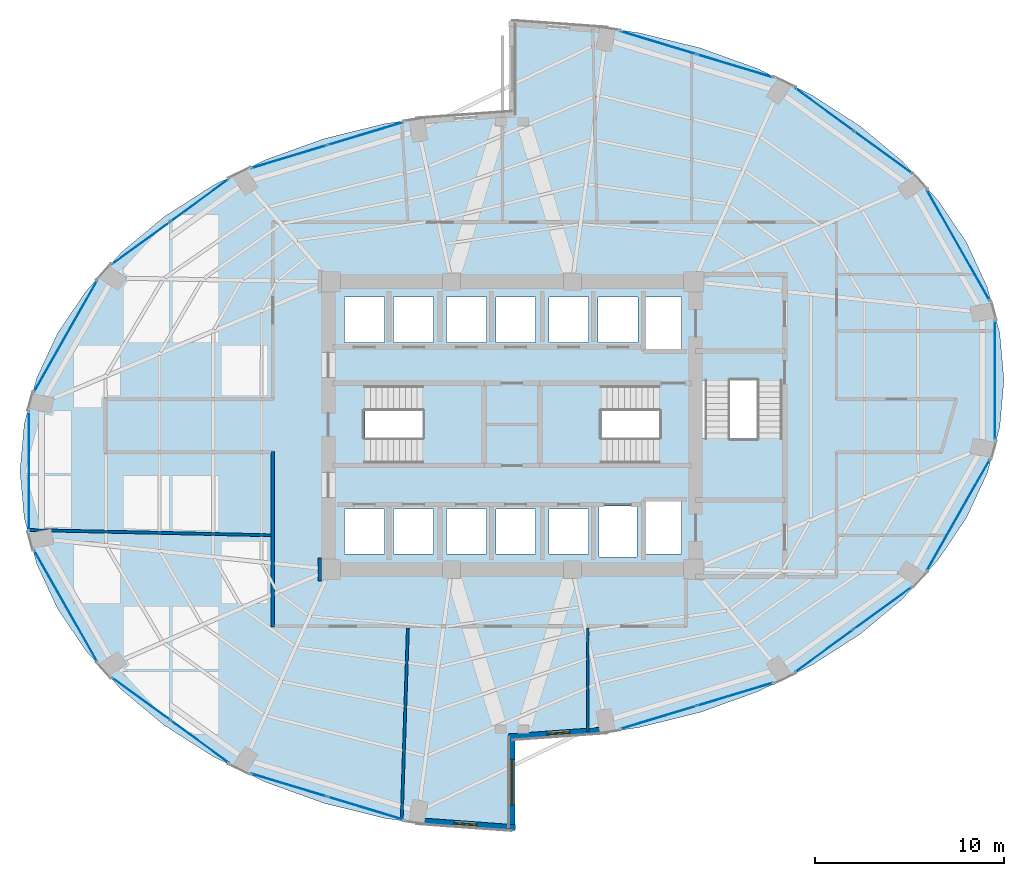
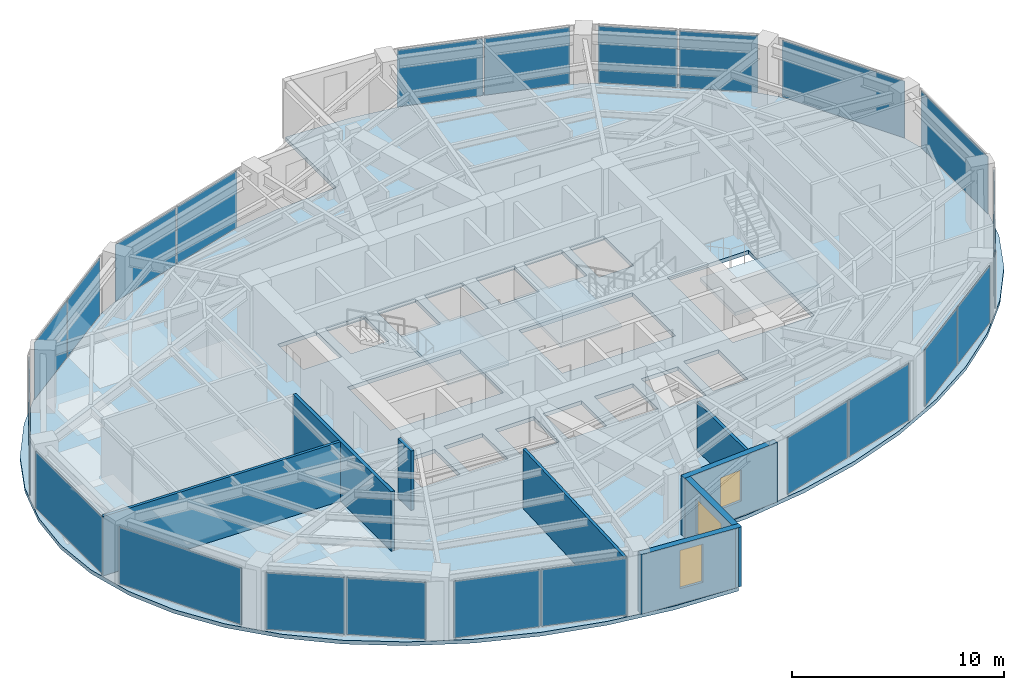
# One storey, part 18 of 23: 22 plates, 8 walls, 4 slabs, 3 windows, 3 openings, 17 elements without a shape of their own.
"""IFC4 building model written with IfcOpenShell, lengths in metres."""

import ifcopenshell
import ifcopenshell.guid

model = None  # the IFC model being written
_history = None  # IfcOwnerHistory: only IFC2X3 demands one
_inside = {}  # id of a spatial element -> (the spatial element, [elements in it])
_under = {}  # id of a project, library or spatial element -> (it, [spatial elements below it])
_declared = {}  # id of a project -> (the project, [libraries it declares])
_typed = {}  # id of a type object -> (the type object, [elements of that type])
_made_of = {}  # id of a material, layer set ... -> (it, [elements and type objects made of it])


def new_model(schema):
    """Start an empty IFC model of exactly this schema.

    Asked for "IFC4X3", IfcOpenShell would pick the latest addendum, in which some entities
    have other attributes; the version numbers below select the first issue.
    IFC2X3 requires an IfcOwnerHistory on every rooted entity: one is made here for all.
    """
    global model, _history
    if schema == "IFC4X3":
        model = ifcopenshell.file(schema_version=(4, 3, 0, 0))
    else:
        model = ifcopenshell.file(schema=schema)
    _inside.clear()
    _under.clear()
    _declared.clear()
    _typed.clear()
    _made_of.clear()
    _history = None
    if model.schema == "IFC2X3":
        org = make("IfcOrganization", Name="unknown")
        user = make(
            "IfcPersonAndOrganization",
            ThePerson=make("IfcPerson", FamilyName="unknown"),
            TheOrganization=org,
        )
        app = make(
            "IfcApplication",
            ApplicationDeveloper=org,
            Version="unknown",
            ApplicationFullName="unknown",
            ApplicationIdentifier="unknown",
        )
        _history = make(
            "IfcOwnerHistory",
            OwningUser=user,
            OwningApplication=app,
            ChangeAction="ADDED",
            CreationDate=0,
        )
    return model


def make(cls, **values):
    """One entity of the class cls with the attributes given. An attribute that is None is left unset."""
    return model.create_entity(
        cls, **{name: value for name, value in values.items() if value is not None}
    )


def rooted(cls, **values):
    """An entity with a GlobalId (a new one), such as an element, a storey or a relation."""
    return make(cls, GlobalId=ifcopenshell.guid.new(), OwnerHistory=_history, **values)


def si_unit(unit_type, name, prefix=None):
    """IfcSIUnit, for example si_unit("LENGTHUNIT", "METRE", prefix="MILLI")."""
    return make("IfcSIUnit", UnitType=unit_type, Prefix=prefix, Name=name)


def assignment(units):
    """IfcUnitAssignment: the units of a project."""
    return None if units is None else make("IfcUnitAssignment", Units=units)


def point(xyz):
    """IfcCartesianPoint."""
    return None if xyz is None else make("IfcCartesianPoint", Coordinates=xyz)


def direction(xyz):
    """IfcDirection."""
    return None if xyz is None else make("IfcDirection", DirectionRatios=xyz)


def frame(location, z_axis=None, x_axis=None):
    """IfcAxis2Placement3D, a coordinate frame: its origin and axes. An axis left out is left unset."""
    return make(
        "IfcAxis2Placement3D",
        Location=point(location),
        Axis=direction(z_axis),
        RefDirection=direction(x_axis),
    )


def frame_2d(location, x_axis=None):
    """IfcAxis2Placement2D, a coordinate frame in the plane: its origin and x axis."""
    return make(
        "IfcAxis2Placement2D", Location=point(location), RefDirection=direction(x_axis)
    )


def origin():
    """The frame at (0, 0, 0) with its axes left unset."""
    return frame((0.0, 0.0, 0.0))


def origin_2d():
    """The frame at (0, 0) in the plane with its x axis left unset."""
    return frame_2d((0.0, 0.0))


def place(relative_to, where):
    """IfcLocalPlacement: puts the frame where relative to a parent placement (None: the world)."""
    return make(
        "IfcLocalPlacement", PlacementRelTo=relative_to, RelativePlacement=where
    )


def context(
    kind, dimensions, precision=None, world=None, true_north=None, identifier=None
):
    """IfcGeometricRepresentationContext, for example the 3D "Model" context."""
    return make(
        "IfcGeometricRepresentationContext",
        ContextIdentifier=identifier,
        ContextType=kind,
        CoordinateSpaceDimension=dimensions,
        Precision=precision,
        WorldCoordinateSystem=world,
        TrueNorth=true_north,
    )


def subcontext(parent, identifier, kind, view, scale=None):
    """IfcGeometricRepresentationSubContext, for example "Body" below "Model"."""
    return make(
        "IfcGeometricRepresentationSubContext",
        ContextIdentifier=identifier,
        ContextType=kind,
        ParentContext=parent,
        TargetScale=scale,
        TargetView=view,
    )


def project(units=None, contexts=None):
    """IfcProject with its units and contexts."""
    return rooted(
        "IfcProject",
        Name="project",
        RepresentationContexts=contexts,
        UnitsInContext=assignment(units),
    )


def spatial(cls, under=None, at=None, **own):
    """A site, building, storey or space (cls), placed at a placement, below another one or the project."""
    s = rooted(cls, ObjectPlacement=at, **own)
    if under is not None:
        _under.setdefault(under.id(), (under, []))[1].append(s)
    return s


def polyline(points):
    """IfcPolyline through the points."""
    return make("IfcPolyline", Points=[point(p) for p in points])


def profile(cls, at=None, kind="AREA", **sizes):
    """A parametric profile (cls). Its sizes go by their IFC names, for example OverallWidth=200.0."""
    return make(cls, ProfileType=kind, Position=at, **sizes)


def rectangle(**sizes):
    """IfcRectangleProfileDef."""
    return profile("IfcRectangleProfileDef", **sizes)


def outline(outer, holes=None, kind="AREA"):
    """IfcArbitraryClosedProfileDef: a profile drawn as a closed curve; with holes, ...WithVoids."""
    if holes is None:
        return make("IfcArbitraryClosedProfileDef", ProfileType=kind, OuterCurve=outer)
    return make(
        "IfcArbitraryProfileDefWithVoids",
        ProfileType=kind,
        OuterCurve=outer,
        InnerCurves=holes,
    )


def extrude(swept, where, along, depth):
    """IfcExtrudedAreaSolid: the profile swept, set in the frame where, extruded along a direction by depth."""
    return make(
        "IfcExtrudedAreaSolid",
        SweptArea=swept,
        Position=where,
        ExtrudedDirection=direction(along),
        Depth=depth,
    )


def shape(context_of_items, identifier, shape_type, items):
    """IfcShapeRepresentation: the items that make up one representation, for example the "Body"."""
    return make(
        "IfcShapeRepresentation",
        ContextOfItems=context_of_items,
        RepresentationIdentifier=identifier,
        RepresentationType=shape_type,
        Items=items,
    )


def material(Name=None, Category=None):
    """IfcMaterial."""
    return make("IfcMaterial", Name=Name, Category=Category)


def layer(
    of_material, thickness, ventilated=None, Name=None, Category=None, Priority=None
):
    """IfcMaterialLayer: one layer of a wall or slab, of a material (None: an air gap)."""
    return make(
        "IfcMaterialLayer",
        Material=of_material,
        LayerThickness=thickness,
        IsVentilated=ventilated,
        Name=Name,
        Category=Category,
        Priority=Priority,
    )


def layer_set(layers, Name=None):
    """IfcMaterialLayerSet."""
    return make("IfcMaterialLayerSet", MaterialLayers=layers, LayerSetName=Name)


def made_of(thing, what):
    """Note that an element or type object is made of a material, layer set ...; save() writes the relation."""
    if what is not None:
        _made_of.setdefault(what.id(), (what, []))[1].append(thing)
    return thing


def type_object(cls, material=None, **own):
    """A type object (cls), such as IfcWallType, which elements share."""
    return made_of(rooted(cls, **own), material)


def element(
    cls,
    number,
    at=None,
    inside=None,
    cuts=None,
    type_object=None,
    material=None,
    context=None,
    identifier="Body",
    shape_type=None,
    held_by="IfcProductDefinitionShape",
    body=None,
    shapes=None,
    **own,
):
    """One element of the class cls, such as IfcWall. Its Tag is "e" and its number.

    at: its placement. inside: the storey or other place that contains it. cuts: it is an
    opening in that element (IfcRelVoidsElement). A single representation is given by context,
    identifier, shape_type and body (its items); several are given by shapes. held_by: the class
    of the entity that holds the representations. save() writes the other relations.
    """
    e = rooted(cls, Tag="e%d" % number, ObjectPlacement=at, **own)
    if body is not None:
        shapes = [shape(context, identifier, shape_type, body)]
    if shapes is not None:
        e.Representation = make(held_by, Representations=shapes)
    if inside is not None:
        _inside.setdefault(inside.id(), (inside, []))[1].append(e)
    if cuts is not None:
        rooted(
            "IfcRelVoidsElement", RelatingBuildingElement=cuts, RelatedOpeningElement=e
        )
    if type_object is not None:
        _typed.setdefault(type_object.id(), (type_object, []))[1].append(e)
    return made_of(e, material)


def fill(opening, filler):
    """IfcRelFillsElement: the door or window that sits in an opening."""
    return rooted(
        "IfcRelFillsElement",
        RelatingOpeningElement=opening,
        RelatedBuildingElement=filler,
    )


def aggregate(whole, parts):
    """IfcRelAggregates: a whole, such as a stair, and the parts it consists of."""
    return rooted("IfcRelAggregates", RelatingObject=whole, RelatedObjects=parts)


def save(model, path):
    """Write the relations noted so far, then the file.

    IfcRelAggregates (storeys below a building ...), IfcRelContainedInSpatialStructure (elements
    in a storey), IfcRelDefinesByType, IfcRelAssociatesMaterial and IfcRelDeclares: one each for
    every whole, place, type object, material and project.
    """
    for whole, parts in _under.values():
        aggregate(whole, parts)
    for where, things in _inside.values():
        rooted(
            "IfcRelContainedInSpatialStructure",
            RelatedElements=things,
            RelatingStructure=where,
        )
    for kind, things in _typed.values():
        rooted("IfcRelDefinesByType", RelatedObjects=things, RelatingType=kind)
    for what, things in _made_of.values():
        rooted("IfcRelAssociatesMaterial", RelatedObjects=things, RelatingMaterial=what)
    for by, libraries in _declared.values():
        rooted("IfcRelDeclares", RelatingContext=by, RelatedDefinitions=libraries)
    model.write(path)


model = new_model("IFC4")

# Units and contexts
model_context = context("Model", 3, precision=1e-05, world=origin(), true_north=direction((0.0, 1.0)))
body_context = subcontext(model_context, "Body", "Model", "MODEL_VIEW")
ifc_project = project(units=[si_unit("LENGTHUNIT", "METRE"), si_unit("AREAUNIT", "SQUARE_METRE"), si_unit("VOLUMEUNIT", "CUBIC_METRE"), si_unit("PLANEANGLEUNIT", "RADIAN"), si_unit("MASSUNIT", "GRAM", prefix="KILO")], contexts=[model_context])

# Site, building, storey
site_placement = place(None, origin())
site = spatial("IfcSite", under=ifc_project, at=site_placement, CompositionType="ELEMENT")
building_placement = place(site_placement, origin())
building = spatial("IfcBuilding", under=site, at=building_placement, Name="Lazwardi Medical Tower", CompositionType="ELEMENT")
storey_placement = place(building_placement, frame((0.0, 0.0, 107.280029296875)))
storey = spatial("IfcBuildingStorey", under=building, at=storey_placement, Name="L27", CompositionType="ELEMENT", Elevation=107.280029296875)

# Curtain wall, plates
ifc_material_1 = material(Name="Anodised bronze aluminium and solar control glazing", Category="aluminium")
ifc_layer_1 = layer(ifc_material_1, 0.195068359375)
ifc_layer_set_1 = layer_set([ifc_layer_1], Name="Anodised bronze aluminium and solar control glazing")
curtain_wall_type = type_object("IfcCurtainWallType", Name="CW-SYS-03", PredefinedType="NOTDEFINED", material=ifc_layer_set_1)
curtain_wall_1_placement = place(storey_placement, origin())
curtain_wall_1 = element("IfcCurtainWall", 1, at=curtain_wall_1_placement, inside=storey, type_object=curtain_wall_type, Name="L27 Unitised bronze curtain wall CW-03", PredefinedType="NOTDEFINED")
ifc_material_2 = material(Name="Low-e bronze solar control double glazing", Category="glass")
ifc_layer_2 = layer(ifc_material_2, 0.035888671875)
ifc_layer_set_2 = layer_set([ifc_layer_2], Name="Low-e bronze solar control double glazing")
plate_type = type_object("IfcPlateType", Name="PLT-GLZ-01", PredefinedType="CURTAIN_PANEL", material=ifc_layer_set_2)
plate_1_placement = place(storey_placement, frame((43.73974609375, 12.573486328125, 0.07470703125), z_axis=(0.0, 0.0, 1.0), x_axis=(0.957216170558, 0.28937381157, 0.0)))
plate_1 = element("IfcPlate", 2, at=plate_1_placement, type_object=plate_type, Name="CW-03 panel 1.1", PredefinedType="CURTAIN_PANEL", context=body_context, shape_type="SweptSolid", body=[
    extrude(rectangle(XDim=4.16552734375, YDim=0.035888671875, at=origin_2d()), origin(), (0.0, 0.0, 1.0), 3.278076171875),
])
plate_2_placement = place(storey_placement, frame((47.798828125, 13.800537109375, 0.07470703125), z_axis=(0.0, 0.0, 1.0), x_axis=(0.957216170558, 0.28937381157, 0.0)))
plate_2 = element("IfcPlate", 3, at=plate_2_placement, type_object=plate_type, Name="CW-03 panel 2.1", PredefinedType="CURTAIN_PANEL", context=body_context, shape_type="SweptSolid", body=[
    extrude(rectangle(XDim=4.16552734375, YDim=0.035888671875, at=origin_2d()), origin(), (0.0, 0.0, 1.0), 3.278076171875),
])
aggregate(curtain_wall_1, [plate_1, plate_2])

curtain_wall_2_placement = place(storey_placement, origin())
curtain_wall_2 = element("IfcCurtainWall", 4, at=curtain_wall_2_placement, inside=storey, type_object=curtain_wall_type, Name="L27 Unitised bronze curtain wall CW-03", PredefinedType="NOTDEFINED")
plate_3_placement = place(storey_placement, frame((52.4990234375, 16.093017578125, 0.07470703125), z_axis=(0.0, 0.0, 1.0), x_axis=(0.807745837639, 0.589530882802, 0.0)))
plate_3 = element("IfcPlate", 5, at=plate_3_placement, type_object=plate_type, Name="CW-03 panel 1.1", PredefinedType="CURTAIN_PANEL", context=body_context, shape_type="SweptSolid", body=[
    extrude(rectangle(XDim=3.767578125, YDim=0.035888671875, at=origin_2d()), origin(), (0.0, 0.0, 1.0), 3.278076171875),
])
plate_4_placement = place(storey_placement, frame((55.60302734375, 18.3583984375, 0.07470703125), z_axis=(0.0, 0.0, 1.0), x_axis=(0.807745837639, 0.589530882802, 0.0)))
plate_4 = element("IfcPlate", 6, at=plate_4_placement, type_object=plate_type, Name="CW-03 panel 2.1", PredefinedType="CURTAIN_PANEL", context=body_context, shape_type="SweptSolid", body=[
    extrude(rectangle(XDim=3.767578125, YDim=0.035888671875, at=origin_2d()), origin(), (0.0, 0.0, 1.0), 3.278076171875),
])
aggregate(curtain_wall_2, [plate_3, plate_4])

# Curtain wall, plate
curtain_wall_3_placement = place(storey_placement, origin())
curtain_wall_3 = element("IfcCurtainWall", 7, at=curtain_wall_3_placement, inside=storey, type_object=curtain_wall_type, Name="L27 Unitised bronze curtain wall CW-03", PredefinedType="NOTDEFINED")
plate_5_placement = place(storey_placement, frame((59.5849609375, 23.270263671875, 0.07470703125), z_axis=(0.0, 0.0, 1.0), x_axis=(0.493603140041, 0.869687265712, 0.0)))
plate_5 = element("IfcPlate", 8, at=plate_5_placement, type_object=plate_type, Name="CW-03 panel 1.1", PredefinedType="CURTAIN_PANEL", context=body_context, shape_type="SweptSolid", body=[
    extrude(rectangle(XDim=6.722900390625, YDim=0.035888671875, at=origin_2d()), origin(), (0.0, 0.0, 1.0), 3.278076171875),
])
aggregate(curtain_wall_3, [plate_5])

curtain_wall_4_placement = place(storey_placement, origin())
curtain_wall_4 = element("IfcCurtainWall", 9, at=curtain_wall_4_placement, inside=storey, type_object=curtain_wall_type, Name="L27 Unitised bronze curtain wall CW-03", PredefinedType="NOTDEFINED")
plate_6_placement = place(storey_placement, frame((61.528076171875, 30.39990234375, 0.07470703125), z_axis=(0.0, 0.0, 1.0), x_axis=(0.0, 1.0, 0.0)))
plate_6 = element("IfcPlate", 10, at=plate_6_placement, type_object=plate_type, Name="CW-03 panel 1.1", PredefinedType="CURTAIN_PANEL", context=body_context, shape_type="SweptSolid", body=[
    extrude(rectangle(XDim=6.31982421875, YDim=0.035888671875, at=origin_2d()), origin(), (0.0, 0.0, 1.0), 3.278076171875),
])
aggregate(curtain_wall_4, [plate_6])

curtain_wall_5_placement = place(storey_placement, origin())
curtain_wall_5 = element("IfcCurtainWall", 11, at=curtain_wall_5_placement, inside=storey, type_object=curtain_wall_type, Name="L27 Unitised bronze curtain wall CW-03", PredefinedType="NOTDEFINED")
plate_7_placement = place(storey_placement, frame((59.5849609375, 37.52978515625, 0.07470703125), z_axis=(0.0, 0.0, 1.0), x_axis=(-0.493603140041, 0.869687265712, 0.0)))
plate_7 = element("IfcPlate", 12, at=plate_7_placement, type_object=plate_type, Name="CW-03 panel 1.1", PredefinedType="CURTAIN_PANEL", context=body_context, shape_type="SweptSolid", body=[
    extrude(rectangle(XDim=6.722900390625, YDim=0.035888671875, at=origin_2d()), origin(), (0.0, 0.0, 1.0), 3.278076171875),
])
aggregate(curtain_wall_5, [plate_7])

# Curtain wall, plates
curtain_wall_6_placement = place(storey_placement, origin())
curtain_wall_6 = element("IfcCurtainWall", 13, at=curtain_wall_6_placement, inside=storey, type_object=curtain_wall_type, Name="L27 Unitised bronze curtain wall CW-03", PredefinedType="NOTDEFINED")
plate_8_placement = place(storey_placement, frame((55.60302734375, 42.441650390625, 0.07470703125), z_axis=(0.0, 0.0, 1.0), x_axis=(-0.807745837639, 0.589530882802, 0.0)))
plate_8 = element("IfcPlate", 14, at=plate_8_placement, type_object=plate_type, Name="CW-03 panel 1.1", PredefinedType="CURTAIN_PANEL", context=body_context, shape_type="SweptSolid", body=[
    extrude(rectangle(XDim=3.767578125, YDim=0.035888671875, at=origin_2d()), origin(), (0.0, 0.0, 1.0), 3.278076171875),
])
plate_9_placement = place(storey_placement, frame((52.4990234375, 44.70703125, 0.07470703125), z_axis=(0.0, 0.0, 1.0), x_axis=(-0.807745837639, 0.589530882802, 0.0)))
plate_9 = element("IfcPlate", 15, at=plate_9_placement, type_object=plate_type, Name="CW-03 panel 2.1", PredefinedType="CURTAIN_PANEL", context=body_context, shape_type="SweptSolid", body=[
    extrude(rectangle(XDim=3.767578125, YDim=0.035888671875, at=origin_2d()), origin(), (0.0, 0.0, 1.0), 3.278076171875),
])
aggregate(curtain_wall_6, [plate_8, plate_9])

curtain_wall_7_placement = place(storey_placement, origin())
curtain_wall_7 = element("IfcCurtainWall", 16, at=curtain_wall_7_placement, inside=storey, type_object=curtain_wall_type, Name="L27 Unitised bronze curtain wall CW-03", PredefinedType="NOTDEFINED")
plate_10_placement = place(storey_placement, frame((47.798828125, 46.99951171875, 0.07470703125), z_axis=(0.0, 0.0, 1.0), x_axis=(-0.957216170558, 0.28937381157, 0.0)))
plate_10 = element("IfcPlate", 17, at=plate_10_placement, type_object=plate_type, Name="CW-03 panel 1.1", PredefinedType="CURTAIN_PANEL", context=body_context, shape_type="SweptSolid", body=[
    extrude(rectangle(XDim=4.16552734375, YDim=0.035888671875, at=origin_2d()), origin(), (0.0, 0.0, 1.0), 3.278076171875),
])
plate_11_placement = place(storey_placement, frame((43.73974609375, 48.2265625, 0.07470703125), z_axis=(0.0, 0.0, 1.0), x_axis=(-0.957216170558, 0.28937381157, 0.0)))
plate_11 = element("IfcPlate", 18, at=plate_11_placement, type_object=plate_type, Name="CW-03 panel 2.1", PredefinedType="CURTAIN_PANEL", context=body_context, shape_type="SweptSolid", body=[
    extrude(rectangle(XDim=4.16552734375, YDim=0.035888671875, at=origin_2d()), origin(), (0.0, 0.0, 1.0), 3.278076171875),
])
aggregate(curtain_wall_7, [plate_10, plate_11])

curtain_wall_8_placement = place(storey_placement, origin())
curtain_wall_8 = element("IfcCurtainWall", 19, at=curtain_wall_8_placement, inside=storey, type_object=curtain_wall_type, Name="L27 Unitised bronze curtain wall CW-03", PredefinedType="NOTDEFINED")
plate_12_placement = place(storey_placement, frame((28.26025390625, 43.426513671875, 0.07470703125), z_axis=(0.0, 0.0, 1.0), x_axis=(-0.957216170558, -0.28937381157, 0.0)))
plate_12 = element("IfcPlate", 20, at=plate_12_placement, type_object=plate_type, Name="CW-03 panel 1.1", PredefinedType="CURTAIN_PANEL", context=body_context, shape_type="SweptSolid", body=[
    extrude(rectangle(XDim=4.16552734375, YDim=0.035888671875, at=origin_2d()), origin(), (0.0, 0.0, 1.0), 3.278076171875),
])
plate_13_placement = place(storey_placement, frame((24.201171875, 42.199462890625, 0.07470703125), z_axis=(0.0, 0.0, 1.0), x_axis=(-0.957216170558, -0.28937381157, 0.0)))
plate_13 = element("IfcPlate", 21, at=plate_13_placement, type_object=plate_type, Name="CW-03 panel 2.1", PredefinedType="CURTAIN_PANEL", context=body_context, shape_type="SweptSolid", body=[
    extrude(rectangle(XDim=4.16552734375, YDim=0.035888671875, at=origin_2d()), origin(), (0.0, 0.0, 1.0), 3.278076171875),
])
aggregate(curtain_wall_8, [plate_12, plate_13])

curtain_wall_9_placement = place(storey_placement, origin())
curtain_wall_9 = element("IfcCurtainWall", 22, at=curtain_wall_9_placement, inside=storey, type_object=curtain_wall_type, Name="L27 Unitised bronze curtain wall CW-03", PredefinedType="NOTDEFINED")
plate_14_placement = place(storey_placement, frame((19.5009765625, 39.906982421875, 0.07470703125), z_axis=(0.0, 0.0, 1.0), x_axis=(-0.807745837639, -0.589530882802, 0.0)))
plate_14 = element("IfcPlate", 23, at=plate_14_placement, type_object=plate_type, Name="CW-03 panel 1.1", PredefinedType="CURTAIN_PANEL", context=body_context, shape_type="SweptSolid", body=[
    extrude(rectangle(XDim=3.767578125, YDim=0.035888671875, at=origin_2d()), origin(), (0.0, 0.0, 1.0), 3.278076171875),
])
plate_15_placement = place(storey_placement, frame((16.39697265625, 37.6416015625, 0.07470703125), z_axis=(0.0, 0.0, 1.0), x_axis=(-0.807745837639, -0.589530882802, 0.0)))
plate_15 = element("IfcPlate", 24, at=plate_15_placement, type_object=plate_type, Name="CW-03 panel 2.1", PredefinedType="CURTAIN_PANEL", context=body_context, shape_type="SweptSolid", body=[
    extrude(rectangle(XDim=3.767578125, YDim=0.035888671875, at=origin_2d()), origin(), (0.0, 0.0, 1.0), 3.278076171875),
])
aggregate(curtain_wall_9, [plate_14, plate_15])

# Curtain wall, plate
curtain_wall_10_placement = place(storey_placement, origin())
curtain_wall_10 = element("IfcCurtainWall", 25, at=curtain_wall_10_placement, inside=storey, type_object=curtain_wall_type, Name="L27 Unitised bronze curtain wall CW-03", PredefinedType="NOTDEFINED")
plate_16_placement = place(storey_placement, frame((12.4150390625, 32.729736328125, 0.07470703125), z_axis=(0.0, 0.0, 1.0), x_axis=(-0.493603140041, -0.869687265712, 0.0)))
plate_16 = element("IfcPlate", 26, at=plate_16_placement, type_object=plate_type, Name="CW-03 panel 1.1", PredefinedType="CURTAIN_PANEL", context=body_context, shape_type="SweptSolid", body=[
    extrude(rectangle(XDim=6.722900390625, YDim=0.035888671875, at=origin_2d()), origin(), (0.0, 0.0, 1.0), 3.278076171875),
])
aggregate(curtain_wall_10, [plate_16])

curtain_wall_11_placement = place(storey_placement, origin())
curtain_wall_11 = element("IfcCurtainWall", 27, at=curtain_wall_11_placement, inside=storey, type_object=curtain_wall_type, Name="L27 Unitised bronze curtain wall CW-03", PredefinedType="NOTDEFINED")
plate_17_placement = place(storey_placement, frame((10.471923828125, 25.60009765625, 0.07470703125), z_axis=(0.0, 0.0, 1.0), x_axis=(0.0, -1.0, 0.0)))
plate_17 = element("IfcPlate", 28, at=plate_17_placement, type_object=plate_type, Name="CW-03 panel 1.1", PredefinedType="CURTAIN_PANEL", context=body_context, shape_type="SweptSolid", body=[
    extrude(rectangle(XDim=6.31982421875, YDim=0.035888671875, at=origin_2d()), origin(), (0.0, 0.0, 1.0), 3.278076171875),
])
aggregate(curtain_wall_11, [plate_17])

curtain_wall_12_placement = place(storey_placement, origin())
curtain_wall_12 = element("IfcCurtainWall", 29, at=curtain_wall_12_placement, inside=storey, type_object=curtain_wall_type, Name="L27 Unitised bronze curtain wall CW-03", PredefinedType="NOTDEFINED")
plate_18_placement = place(storey_placement, frame((12.4150390625, 18.47021484375, 0.07470703125), z_axis=(0.0, 0.0, 1.0), x_axis=(0.493603140041, -0.869687265712, 0.0)))
plate_18 = element("IfcPlate", 30, at=plate_18_placement, type_object=plate_type, Name="CW-03 panel 1.1", PredefinedType="CURTAIN_PANEL", context=body_context, shape_type="SweptSolid", body=[
    extrude(rectangle(XDim=6.722900390625, YDim=0.035888671875, at=origin_2d()), origin(), (0.0, 0.0, 1.0), 3.278076171875),
])
aggregate(curtain_wall_12, [plate_18])

# Curtain wall, plates
curtain_wall_13_placement = place(storey_placement, origin())
curtain_wall_13 = element("IfcCurtainWall", 31, at=curtain_wall_13_placement, inside=storey, type_object=curtain_wall_type, Name="L27 Unitised bronze curtain wall CW-03", PredefinedType="NOTDEFINED")
plate_19_placement = place(storey_placement, frame((16.39697265625, 13.558349609375, 0.07470703125), z_axis=(0.0, 0.0, 1.0), x_axis=(0.807745837639, -0.589530882802, 0.0)))
plate_19 = element("IfcPlate", 32, at=plate_19_placement, type_object=plate_type, Name="CW-03 panel 1.1", PredefinedType="CURTAIN_PANEL", context=body_context, shape_type="SweptSolid", body=[
    extrude(rectangle(XDim=3.767578125, YDim=0.035888671875, at=origin_2d()), origin(), (0.0, 0.0, 1.0), 3.278076171875),
])
plate_20_placement = place(storey_placement, frame((19.5009765625, 11.29296875, 0.07470703125), z_axis=(0.0, 0.0, 1.0), x_axis=(0.807745837639, -0.589530882802, 0.0)))
plate_20 = element("IfcPlate", 33, at=plate_20_placement, type_object=plate_type, Name="CW-03 panel 2.1", PredefinedType="CURTAIN_PANEL", context=body_context, shape_type="SweptSolid", body=[
    extrude(rectangle(XDim=3.767578125, YDim=0.035888671875, at=origin_2d()), origin(), (0.0, 0.0, 1.0), 3.278076171875),
])
aggregate(curtain_wall_13, [plate_19, plate_20])

curtain_wall_14_placement = place(storey_placement, origin())
curtain_wall_14 = element("IfcCurtainWall", 34, at=curtain_wall_14_placement, inside=storey, type_object=curtain_wall_type, Name="L27 Unitised bronze curtain wall CW-03", PredefinedType="NOTDEFINED")
plate_21_placement = place(storey_placement, frame((24.201171875, 9.00048828125, 0.07470703125), z_axis=(0.0, 0.0, 1.0), x_axis=(0.957216170558, -0.28937381157, 0.0)))
plate_21 = element("IfcPlate", 35, at=plate_21_placement, type_object=plate_type, Name="CW-03 panel 1.1", PredefinedType="CURTAIN_PANEL", context=body_context, shape_type="SweptSolid", body=[
    extrude(rectangle(XDim=4.16552734375, YDim=0.035888671875, at=origin_2d()), origin(), (0.0, 0.0, 1.0), 3.278076171875),
])
plate_22_placement = place(storey_placement, frame((28.26025390625, 7.7734375, 0.07470703125), z_axis=(0.0, 0.0, 1.0), x_axis=(0.957216170558, -0.28937381157, 0.0)))
plate_22 = element("IfcPlate", 36, at=plate_22_placement, type_object=plate_type, Name="CW-03 panel 2.1", PredefinedType="CURTAIN_PANEL", context=body_context, shape_type="SweptSolid", body=[
    extrude(rectangle(XDim=4.16552734375, YDim=0.035888671875, at=origin_2d()), origin(), (0.0, 0.0, 1.0), 3.278076171875),
])
aggregate(curtain_wall_14, [plate_21, plate_22])

# Stair, slab
ifc_material_3 = material(Name="Concrete C45/55", Category="concrete")
stair_type = type_object("IfcStairType", Name="STR-WRD", PredefinedType="HALF_TURN_STAIR", material=ifc_material_3)
stair_1_placement = place(storey_placement, origin())
stair_1 = element("IfcStair", 37, at=stair_1_placement, inside=storey, type_object=stair_type, Name="L27 Protected Exit Stair ST1", PredefinedType="HALF_TURN_STAIR")
ifc_layer_3 = layer(ifc_material_3, 0.199951171875)
ifc_layer_set_3 = layer_set([ifc_layer_3], Name="Concrete C45/55")
slab_type_1 = type_object("IfcSlabType", Name="SLB-LND-190", PredefinedType="LANDING", material=ifc_layer_set_3)
slab_1_placement = place(storey_placement, frame((0.0, 0.0, 1.6240234375)))
slab_1 = element("IfcSlab", 38, at=slab_1_placement, type_object=slab_type_1, Name="ST1 landing 1", PredefinedType="LANDING", context=body_context, shape_type="SweptSolid", body=[
    extrude(outline(polyline([(31.27490234375, 25.840087890625), (34.580078125, 25.840087890625), (34.580078125, 30.280029296875), (31.27490234375, 30.280029296875), (31.27490234375, 25.840087890625)])), origin(), (0.0, 0.0, 1.0), 0.199951171875),
])
aggregate(stair_1, [slab_1])

stair_2_placement = place(storey_placement, origin())
stair_2 = element("IfcStair", 39, at=stair_2_placement, inside=storey, type_object=stair_type, Name="L27 Protected Exit Stair ST2", PredefinedType="HALF_TURN_STAIR")
slab_2_placement = place(storey_placement, frame((0.0, 0.0, 1.6240234375)))
slab_2 = element("IfcSlab", 40, at=slab_2_placement, type_object=slab_type_1, Name="ST2 landing 1", PredefinedType="LANDING", context=body_context, shape_type="SweptSolid", body=[
    extrude(outline(polyline([(40.72509765625, 30.280029296875), (37.419921875, 30.280029296875), (37.419921875, 25.840087890625), (40.72509765625, 25.840087890625), (40.72509765625, 30.280029296875)])), origin(), (0.0, 0.0, 1.0), 0.199951171875),
])
aggregate(stair_2, [slab_2])

stair_3_placement = place(storey_placement, origin())
stair_3 = element("IfcStair", 41, at=stair_3_placement, inside=storey, type_object=stair_type, Name="L27 Protected Exit Stair ST3", PredefinedType="HALF_TURN_STAIR")
slab_3_placement = place(storey_placement, frame((0.0, 0.0, 1.6240234375)))
slab_3 = element("IfcSlab", 42, at=slab_3_placement, type_object=slab_type_1, Name="ST3 landing 1", PredefinedType="LANDING", context=body_context, shape_type="SweptSolid", body=[
    extrude(outline(polyline([(45.860107421875, 27.324951171875), (45.860107421875, 24.02001953125), (50.4599609375, 24.02001953125), (50.4599609375, 27.324951171875), (45.860107421875, 27.324951171875)])), origin(), (0.0, 0.0, 1.0), 0.199951171875),
])
aggregate(stair_3, [slab_3])

# Slab
ifc_material_4 = material(Name="Concrete C50/60", Category="concrete")
ifc_layer_4 = layer(ifc_material_4, 0.219970703125)
ifc_layer_set_4 = layer_set([ifc_layer_4], Name="Concrete C50/60")
slab_type_2 = type_object("IfcSlabType", Name="SLB-WRD-220", PredefinedType="FLOOR", material=ifc_layer_set_4)
slab_4_placement = place(storey_placement, frame((0.0, 0.0, -0.219970703125)))
element("IfcSlab", 43, at=slab_4_placement, inside=storey, type_object=slab_type_2, Name="Structural floor slab SF-03 L27", PredefinedType="FLOOR", context=body_context, shape_type="SweptSolid", body=[
    extrude(outline(polyline([(11.97900390625, 32.87109375), (10.885986328125, 30.517578125), (10.222412109375, 28.080078125), (10.0, 25.60009765625), (10.222412109375, 23.1201171875), (10.885986328125, 20.682373046875), (11.97900390625, 18.3291015625), (13.4833984375, 16.10009765625), (15.372802734375, 14.033447265625), (17.615234375, 12.1650390625), (20.172119140625, 10.5263671875), (23.0, 9.1455078125), (26.05029296875, 8.04638671875), (29.270751953125, 7.247314453125), (32.606201171875, 6.762451171875), (36.0, 6.60009765625), (36.0, 11.39990234375), (39.393798828125, 11.5625), (42.729248046875, 12.04736328125), (45.94970703125, 12.84619140625), (49.0, 13.945556640625), (51.827880859375, 15.326416015625), (54.384765625, 16.965087890625), (56.627197265625, 18.83349609375), (58.5166015625, 20.89990234375), (60.02099609375, 23.12890625), (61.114013671875, 25.482421875), (61.777587890625, 27.919921875), (62.0, 30.39990234375), (61.777587890625, 32.8798828125), (61.114013671875, 35.317626953125), (60.02099609375, 37.6708984375), (58.5166015625, 39.89990234375), (56.627197265625, 41.966552734375), (54.384765625, 43.8349609375), (51.827880859375, 45.4736328125), (49.0, 46.8544921875), (45.94970703125, 47.95361328125), (42.729248046875, 48.752685546875), (39.393798828125, 49.237548828125), (36.0, 49.39990234375), (36.0, 44.60009765625), (32.606201171875, 44.4375), (29.270751953125, 43.95263671875), (26.05029296875, 43.15380859375), (23.0, 42.054443359375), (20.172119140625, 40.673583984375), (17.615234375, 39.034912109375), (15.372802734375, 37.16650390625), (13.4833984375, 35.10009765625), (11.97900390625, 32.87109375)]), holes=[polyline([(28.22509765625, 26.02001953125), (28.22509765625, 30.10009765625), (34.39990234375, 30.10009765625), (34.39990234375, 26.02001953125), (28.22509765625, 26.02001953125)]), polyline([(37.60009765625, 30.10009765625), (43.77490234375, 30.10009765625), (43.77490234375, 26.02001953125), (37.60009765625, 26.02001953125), (37.60009765625, 30.10009765625)]), polyline([(50.280029296875, 30.375), (50.280029296875, 24.179931640625), (45.840087890625, 24.179931640625), (45.840087890625, 30.375), (50.280029296875, 30.375)]), polyline([(29.25, 32.39990234375), (27.14990234375, 32.39990234375), (27.14990234375, 34.800048828125), (29.25, 34.800048828125), (29.25, 32.39990234375)]), polyline([(29.75, 32.39990234375), (29.75, 34.800048828125), (31.85009765625, 34.800048828125), (31.85009765625, 32.39990234375), (29.75, 32.39990234375)]), polyline([(27.14990234375, 23.60009765625), (29.25, 23.60009765625), (29.25, 21.199951171875), (27.14990234375, 21.199951171875), (27.14990234375, 23.60009765625)]), polyline([(31.85009765625, 23.60009765625), (31.85009765625, 21.199951171875), (29.75, 21.199951171875), (29.75, 23.60009765625), (31.85009765625, 23.60009765625)]), polyline([(34.64990234375, 32.39990234375), (32.550048828125, 32.39990234375), (32.550048828125, 34.800048828125), (34.64990234375, 34.800048828125), (34.64990234375, 32.39990234375)]), polyline([(35.14990234375, 32.39990234375), (35.14990234375, 34.800048828125), (37.25, 34.800048828125), (37.25, 32.39990234375), (35.14990234375, 32.39990234375)]), polyline([(32.550048828125, 23.60009765625), (34.64990234375, 23.60009765625), (34.64990234375, 21.199951171875), (32.550048828125, 21.199951171875), (32.550048828125, 23.60009765625)]), polyline([(37.25, 23.60009765625), (37.25, 21.199951171875), (35.14990234375, 21.199951171875), (35.14990234375, 23.60009765625), (37.25, 23.60009765625)]), polyline([(40.050048828125, 32.39990234375), (37.949951171875, 32.39990234375), (37.949951171875, 34.800048828125), (40.050048828125, 34.800048828125), (40.050048828125, 32.39990234375)]), polyline([(40.550048828125, 32.39990234375), (40.550048828125, 34.800048828125), (42.64990234375, 34.800048828125), (42.64990234375, 32.39990234375), (40.550048828125, 32.39990234375)]), polyline([(37.949951171875, 23.60009765625), (40.050048828125, 23.60009765625), (40.050048828125, 21.199951171875), (37.949951171875, 21.199951171875), (37.949951171875, 23.60009765625)]), polyline([(44.949951171875, 34.800048828125), (44.949951171875, 32.0), (43.050048828125, 32.0), (43.050048828125, 34.800048828125), (44.949951171875, 34.800048828125)]), polyline([(44.949951171875, 21.199951171875), (43.050048828125, 21.199951171875), (43.050048828125, 24.0), (44.949951171875, 24.0), (44.949951171875, 21.199951171875)]), polyline([(40.60009765625, 21.050048828125), (40.60009765625, 23.75), (42.60009765625, 23.75), (42.60009765625, 21.050048828125), (40.60009765625, 21.050048828125)])]), origin(), (0.0, 0.0, 1.0), 0.219970703125),
])

# Walls
ifc_material_5 = material(Name="Fire-rated gypsum board on steel stud", Category="steel")
ifc_layer_5 = layer(ifc_material_5, 0.179931640625)
ifc_layer_set_5 = layer_set([ifc_layer_5], Name="Fire-rated gypsum board on steel stud")
wall_type_1 = type_object("IfcWallType", Name="WL-COR-180", PredefinedType="PARTITIONING", material=ifc_layer_set_5)
wall_1_placement = place(storey_placement, frame((25.830078125, 21.010009765625, 0.0), z_axis=(0.0, 0.0, 1.0), x_axis=(0.0, -1.0, 0.0)))
element("IfcWall", 44, at=wall_1_placement, inside=storey, type_object=wall_type_1, Name="L27 Corridor partition 12", PredefinedType="PARTITIONING", context=body_context, shape_type="SweptSolid", body=[
    extrude(rectangle(XDim=1.219970703125, YDim=0.179931640625, at=frame_2d((0.60986328125, 0.0))), origin(), (0.0, 0.0, 1.0), 3.427978515625),
])
wall_2_placement = place(storey_placement, frame((23.35009765625, 17.360107421875, 0.0), z_axis=(0.0, 0.0, 1.0), x_axis=(0.0, 1.0, 0.0)))
element("IfcWall", 45, at=wall_2_placement, inside=storey, type_object=wall_type_1, Name="L27 Corridor partition 15", PredefinedType="PARTITIONING", context=body_context, shape_type="SweptSolid", body=[
    extrude(rectangle(XDim=9.27978515625, YDim=0.179931640625, at=frame_2d((4.639892578125, 0.0))), origin(), (0.0, 0.0, 1.0), 3.427978515625),
])

# Wall, opening, window
ifc_material_6 = material(Name="Precast concrete C45/55", Category="concrete")
ifc_layer_6 = layer(ifc_material_6, 0.320068359375)
ifc_layer_set_6 = layer_set([ifc_layer_6], Name="Precast concrete C45/55")
wall_type_2 = type_object("IfcWallType", Name="WL-IWAN-320", PredefinedType="SOLIDWALL", material=ifc_layer_set_6)
wall_3_placement = place(storey_placement, frame((35.820556640625, 11.547119140625, 0.0), z_axis=(0.0, 0.0, 1.0), x_axis=(0.997432364291, 0.071614793619, 0.0)))
wall_3 = element("IfcWall", 46, at=wall_3_placement, inside=storey, type_object=wall_type_2, Name="L27 Iwan Portal Return Wall SE_ret", PredefinedType="SOLIDWALL", context=body_context, shape_type="SweptSolid", body=[
    extrude(rectangle(XDim=5.2841796875, YDim=0.320068359375, at=frame_2d((2.64208984375, 0.0))), origin(), (0.0, 0.0, 1.0), 3.427978515625),
])
opening_1_placement = place(wall_3_placement, frame((2.0419921875, 0.0, 0.85009765625)))
opening_1 = element("IfcOpeningElement", 47, at=opening_1_placement, cuts=wall_3, Name="Opening WN-04", PredefinedType="OPENING", context=body_context, shape_type="SweptSolid", body=[
    extrude(rectangle(XDim=1.199951171875, YDim=1.800048828125, at=frame_2d((0.60009765625, 0.89990234375))), frame((0.0, 0.169921875, 0.0), z_axis=(0.0, -1.0, 0.0), x_axis=(1.0, 0.0, 0.0)), (0.0, 0.0, 1.0), 0.340087890625),
])
window_type_1 = type_object("IfcWindowType", Name="WIN-DRUM-1200", PartitioningType="SINGLE_PANEL", PredefinedType="WINDOW", material=ifc_material_2)
window_1_placement = place(opening_1_placement, origin())
window_1 = element("IfcWindow", 48, at=window_1_placement, inside=storey, type_object=window_type_1, Name="L27 Iwan Slot Window SE_ret", OverallHeight=1.800048828125, OverallWidth=1.199951171875, PartitioningType="SINGLE_PANEL", PredefinedType="WINDOW", context=body_context, shape_type="SweptSolid", body=[
    extrude(rectangle(XDim=1.199951171875, YDim=1.800048828125, at=frame_2d((0.60009765625, 0.89990234375))), frame((0.0, 0.030029296875, 0.0), z_axis=(0.0, -1.0, 0.0), x_axis=(1.0, 0.0, 0.0)), (0.0, 0.0, 1.0), 0.06005859375),
])
fill(opening_1, window_1)

wall_4_placement = place(storey_placement, frame((30.908935546875, 7.12548828125, 0.0), z_axis=(0.0, 0.0, 1.0), x_axis=(0.997431890304, -0.071621394884, 0.0)))
wall_4 = element("IfcWall", 49, at=wall_4_placement, inside=storey, type_object=wall_type_2, Name="L27 Iwan Portal Return Wall SW_ret", PredefinedType="SOLIDWALL", context=body_context, shape_type="SweptSolid", body=[
    extrude(rectangle(XDim=5.28369140625, YDim=0.320068359375, at=frame_2d((2.641845703125, 0.0))), origin(), (0.0, 0.0, 1.0), 3.427978515625),
])
opening_2_placement = place(wall_4_placement, frame((2.041748046875, 0.0, 0.85009765625)))
opening_2 = element("IfcOpeningElement", 50, at=opening_2_placement, cuts=wall_4, Name="Opening WN-01", PredefinedType="OPENING", context=body_context, shape_type="SweptSolid", body=[
    extrude(rectangle(XDim=1.199951171875, YDim=2.199951171875, at=frame_2d((0.60009765625, 1.10009765625))), frame((0.0, 0.169921875, 0.0), z_axis=(0.0, -1.0, 0.0), x_axis=(1.0, 0.0, 0.0)), (0.0, 0.0, 1.0), 0.340087890625),
])
window_type_2 = type_object("IfcWindowType", Name="WIN-IW-1200", PartitioningType="SINGLE_PANEL", PredefinedType="WINDOW", material=ifc_material_2)
window_2_placement = place(opening_2_placement, origin())
window_2 = element("IfcWindow", 51, at=window_2_placement, inside=storey, type_object=window_type_2, Name="L27 Iwan Slot Window SW_ret", OverallHeight=2.199951171875, OverallWidth=1.199951171875, PartitioningType="SINGLE_PANEL", PredefinedType="WINDOW", context=body_context, shape_type="SweptSolid", body=[
    extrude(rectangle(XDim=1.199951171875, YDim=2.199951171875, at=frame_2d((0.60009765625, 1.10009765625))), frame((0.0, 0.030029296875, 0.0), z_axis=(0.0, -1.0, 0.0), x_axis=(1.0, 0.0, 0.0)), (0.0, 0.0, 1.0), 0.06005859375),
])
fill(opening_2, window_2)

wall_5_placement = place(storey_placement, frame((36.0, 6.60009765625, 0.0), z_axis=(0.0, 0.0, 1.0), x_axis=(0.0, 1.0, 0.0)))
wall_5 = element("IfcWall", 52, at=wall_5_placement, inside=storey, type_object=wall_type_2, Name="L27 Turquoise Tilework Iwan Seam Wall S_seam", PredefinedType="SOLIDWALL", context=body_context, shape_type="SweptSolid", body=[
    extrude(rectangle(XDim=5.119873046875, YDim=0.320068359375, at=frame_2d((2.56005859375, 0.0))), origin(), (0.0, 0.0, 1.0), 3.427978515625),
])
opening_3_placement = place(wall_5_placement, frame((1.360107421875, 0.0, 0.840087890625)))
opening_3 = element("IfcOpeningElement", 53, at=opening_3_placement, cuts=wall_5, Name="Opening WN-02", PredefinedType="OPENING", context=body_context, shape_type="SweptSolid", body=[
    extrude(rectangle(XDim=2.39990234375, YDim=2.0400390625, at=frame_2d((1.199951171875, 1.02001953125))), frame((0.0, 0.169921875, 0.0), z_axis=(0.0, -1.0, 0.0), x_axis=(1.0, 0.0, 0.0)), (0.0, 0.0, 1.0), 0.340087890625),
])
window_type_3 = type_object("IfcWindowType", Name="WIN-IW-2400", PartitioningType="SINGLE_PANEL", PredefinedType="WINDOW", material=ifc_material_2)
window_3_placement = place(opening_3_placement, origin())
window_3 = element("IfcWindow", 54, at=window_3_placement, inside=storey, type_object=window_type_3, Name="L27 Iwan Seam Window S_seam", OverallHeight=2.0400390625, OverallWidth=2.39990234375, PartitioningType="SINGLE_PANEL", PredefinedType="WINDOW", context=body_context, shape_type="SweptSolid", body=[
    extrude(rectangle(XDim=2.39990234375, YDim=2.0400390625, at=frame_2d((1.199951171875, 1.02001953125))), frame((0.0, 0.030029296875, 0.0), z_axis=(0.0, -1.0, 0.0), x_axis=(1.0, 0.0, 0.0)), (0.0, 0.0, 1.0), 0.06005859375),
])
fill(opening_3, window_3)

# Walls
ifc_material_7 = material(Name="Acoustic gypsum board partition")
ifc_layer_7 = layer(ifc_material_7, 0.14990234375)
ifc_layer_set_7 = layer_set([ifc_layer_7], Name="Acoustic gypsum board partition")
wall_type_3 = type_object("IfcWallType", Name="WL-WRD-150", PredefinedType="PARTITIONING", material=ifc_layer_set_7)
wall_6_placement = place(storey_placement, frame((10.46533203125, 22.47900390625, 0.0), z_axis=(0.0, 0.0, 1.0), x_axis=(0.999765147572, -0.021671402821, 0.0)))
element("IfcWall", 55, at=wall_6_placement, inside=storey, type_object=wall_type_3, Name="L27 Room partition 1", PredefinedType="PARTITIONING", context=body_context, shape_type="SweptSolid", body=[
    extrude(rectangle(XDim=12.797607421875, YDim=0.14990234375, at=frame_2d((6.39892578125, 0.0))), origin(), (0.0, 0.0, 1.0), 3.427978515625),
])
wall_7_placement = place(storey_placement, frame((30.17138671875, 7.194580078125, 0.0), z_axis=(0.0, 0.0, 1.0), x_axis=(0.03222807912, 0.999480540539, 0.0)))
element("IfcWall", 56, at=wall_7_placement, inside=storey, type_object=wall_type_3, Name="L27 Room partition 9", PredefinedType="PARTITIONING", context=body_context, shape_type="SweptSolid", body=[
    extrude(rectangle(XDim=10.120849609375, YDim=0.14990234375, at=frame_2d((5.060546875, 0.0))), origin(), (0.0, 0.0, 1.0), 3.427978515625),
])
wall_8_placement = place(storey_placement, frame((40.0, 11.83740234375, 0.0), z_axis=(0.0, 0.0, 1.0), x_axis=(0.0, 1.0, 0.0)))
element("IfcWall", 57, at=wall_8_placement, inside=storey, type_object=wall_type_3, Name="L27 Room partition 10", PredefinedType="PARTITIONING", context=body_context, shape_type="SweptSolid", body=[
    extrude(rectangle(XDim=5.47265625, YDim=0.14990234375, at=frame_2d((2.736328125, 0.0))), origin(), (0.0, 0.0, 1.0), 2.81298828125),
])

save(model, "model.ifc")
